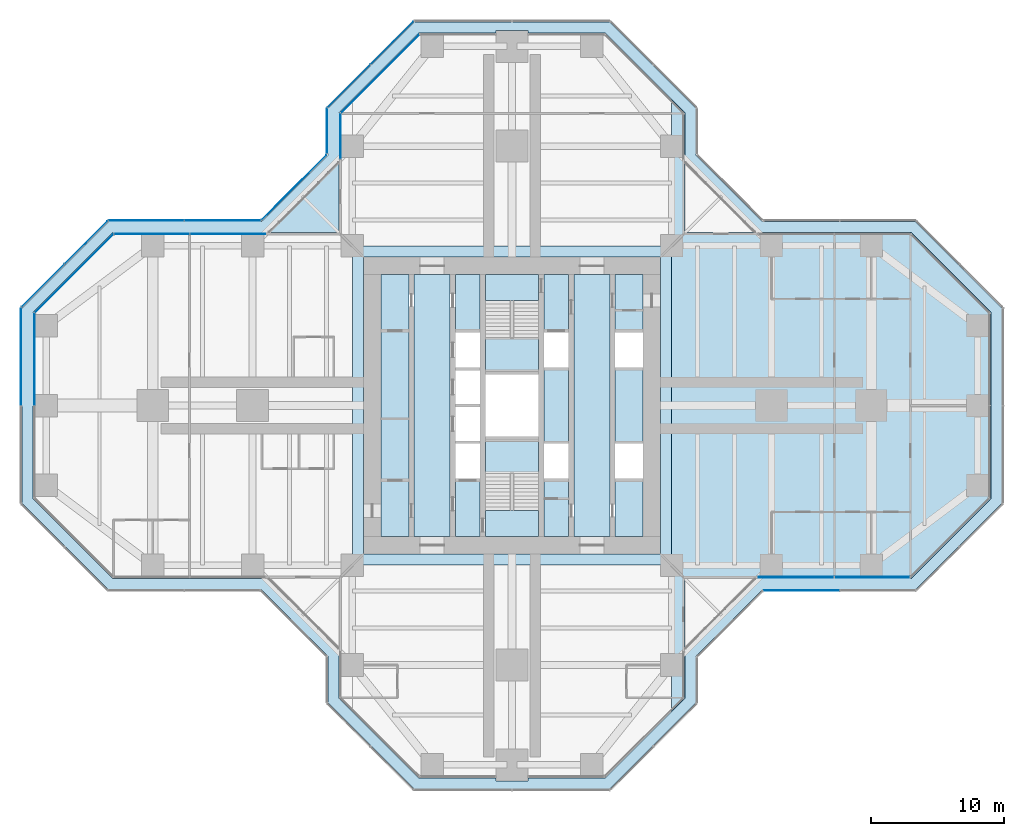
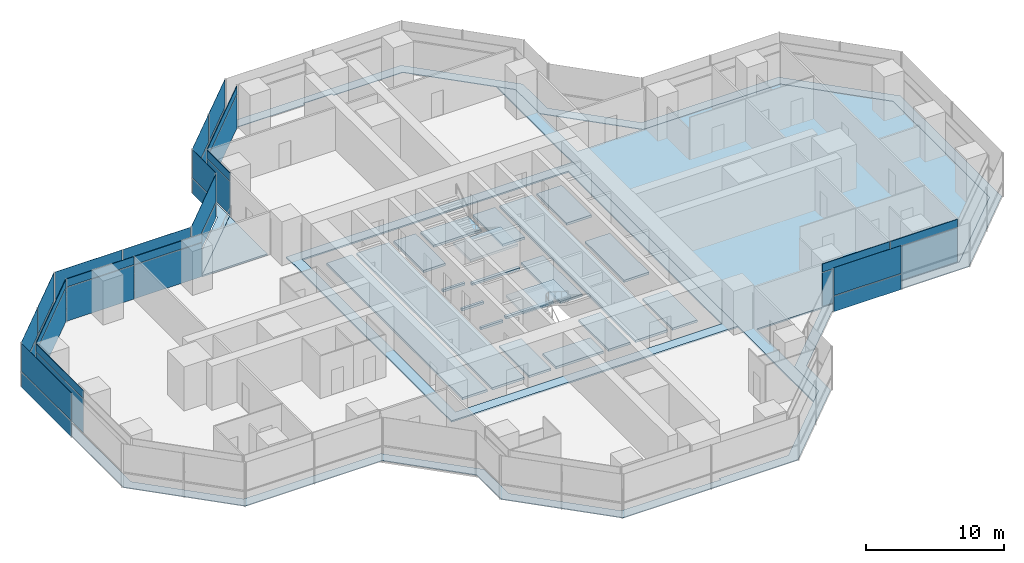
# One storey, part 13 of 20: 37 plates, 8 slabs, 15 elements without a shape of their own.
"""IFC4 building model written with IfcOpenShell, lengths in metres."""

from ifc_helpers import new_model, si_unit, direction, frame, origin, origin_2d, place, context, subcontext, project, spatial, polyline, rectangle, outline, extrude, material, layer, layer_set, type_object, element, aggregate, save


model = new_model("IFC4")

# Units and contexts
model_context = context("Model", 3, precision=1e-05, world=origin(), true_north=direction((0.0, 1.0)))
body_context = subcontext(model_context, "Body", "Model", "MODEL_VIEW")
ifc_project = project(units=[si_unit("LENGTHUNIT", "METRE"), si_unit("AREAUNIT", "SQUARE_METRE"), si_unit("VOLUMEUNIT", "CUBIC_METRE"), si_unit("PLANEANGLEUNIT", "RADIAN"), si_unit("MASSUNIT", "GRAM", prefix="KILO")], contexts=[model_context])

# Site, building, storey
site_placement = place(None, origin())
site = spatial("IfcSite", under=ifc_project, at=site_placement, CompositionType="ELEMENT")
building_placement = place(site_placement, origin())
building = spatial("IfcBuilding", under=site, at=building_placement, Name="Mizan Broadcast Tower", CompositionType="ELEMENT")
storey_placement = place(building_placement, frame((0.0, 0.0, 143.699951171875)))
storey = spatial("IfcBuildingStorey", under=building, at=storey_placement, Name="L32", CompositionType="ELEMENT", Elevation=143.699951171875)

# Plate
ifc_material_1 = material(Name="Aluminium grating", Category="aluminium")
ifc_layer_1 = layer(ifc_material_1, 0.050048828125)
ifc_layer_set_1 = layer_set([ifc_layer_1], Name="Aluminium grating")
plate_type_1 = type_object("IfcPlateType", Name="CAVITY GRATING", PredefinedType="USERDEFINED", material=ifc_layer_set_1)
plate_1_placement = place(storey_placement, frame((0.0, 0.0, -0.050048828125)))
element("IfcPlate", 1, at=plate_1_placement, inside=storey, type_object=plate_type_1, Name="Cavity grating L32", ObjectType="GRATING", PredefinedType="USERDEFINED", context=body_context, shape_type="SweptSolid", body=[
    extrude(outline(polyline([(13.820068359375, -18.839599609375), (18.839599609375, -13.820068359375), (30.339599609375, -13.820068359375), (36.820068359375, -7.339599609375), (36.820068359375, 7.339599609375), (30.339599609375, 13.820068359375), (18.839599609375, 13.820068359375), (13.820068359375, 18.839599609375), (13.820068359375, 22.339599609375), (7.339599609375, 28.820068359375), (-7.339599609375, 28.820068359375), (-13.820068359375, 22.339599609375), (-13.820068359375, 18.839599609375), (-18.839599609375, 13.820068359375), (-30.339599609375, 13.820068359375), (-36.820068359375, 7.339599609375), (-36.820068359375, -7.339599609375), (-30.339599609375, -13.820068359375), (-18.839599609375, -13.820068359375), (-13.820068359375, -18.839599609375), (-13.820068359375, -22.339599609375), (-7.339599609375, -28.820068359375), (7.339599609375, -28.820068359375), (13.820068359375, -22.339599609375), (13.820068359375, -18.839599609375)]), holes=[polyline([(36.0, 7.0), (36.0, -7.0), (30.0, -13.0), (18.5, -13.0), (13.0, -18.5), (13.0, -22.0), (7.0, -28.0), (1.199951171875, -28.0), (1.199951171875, -28.199951171875), (-1.199951171875, -28.199951171875), (-1.199951171875, -28.0), (-7.0, -28.0), (-13.0, -22.0), (-13.0, -18.5), (-18.5, -13.0), (-30.0, -13.0), (-36.0, -7.0), (-36.0, 7.0), (-30.0, 13.0), (-18.5, 13.0), (-13.0, 18.5), (-13.0, 22.0), (-7.0, 28.0), (-1.199951171875, 28.0), (-1.199951171875, 28.199951171875), (1.199951171875, 28.199951171875), (1.199951171875, 28.0), (7.0, 28.0), (13.0, 22.0), (13.0, 18.5), (18.5, 13.0), (30.0, 13.0), (36.0, 7.0)])]), origin(), (0.0, 0.0, 1.0), 0.050048828125),
])

# Slabs
ifc_material_2 = material(Name="Concrete C32/40", Category="concrete")
ifc_layer_2 = layer(ifc_material_2, 0.1298828125)
ifc_layer_set_2 = layer_set([ifc_layer_2], Name="Concrete C32/40")
slab_type_1 = type_object("IfcSlabType", Name="COMPOSITE DECK SLAB 130", PredefinedType="FLOOR", material=ifc_layer_set_2)
slab_1_placement = place(storey_placement, frame((0.0, 0.0, -0.1298828125)))
element("IfcSlab", 2, at=slab_1_placement, inside=storey, type_object=slab_type_1, Name="Floor slab L32 centre", PredefinedType="FLOOR", context=body_context, shape_type="SweptSolid", body=[
    extrude(outline(polyline([(-12.0, -12.0), (12.0, -12.0), (12.0, 12.0), (-12.0, 12.0), (-12.0, -12.0)]), holes=[polyline([(-11.14990234375, 11.14990234375), (11.14990234375, 11.14990234375), (11.14990234375, -11.14990234375), (-11.14990234375, -11.14990234375), (-11.14990234375, 11.14990234375)])]), origin(), (0.0, 0.0, 1.0), 0.1298828125),
])
slab_2_placement = place(storey_placement, frame((0.0, 0.0, -0.1298828125)))
element("IfcSlab", 3, at=slab_2_placement, inside=storey, type_object=slab_type_1, Name="Floor slab L32 east arm", PredefinedType="FLOOR", context=body_context, shape_type="SweptSolid", body=[
    extrude(outline(polyline([(12.0, -23.0), (13.0, -22.0), (13.0, -13.0), (30.0, -13.0), (36.0, -7.0), (36.0, 7.0), (30.0, 13.0), (13.0, 13.0), (13.0, 22.0), (12.0, 23.0), (12.0, -23.0)])), origin(), (0.0, 0.0, 1.0), 0.1298828125),
])
ifc_material_3 = material(Name="Concrete C40/50", Category="concrete")
ifc_layer_3 = layer(ifc_material_3, 0.199951171875)
ifc_layer_set_3 = layer_set([ifc_layer_3], Name="Concrete C40/50")
slab_type_2 = type_object("IfcSlabType", Name="CORE FLOOR 200", PredefinedType="FLOOR", material=ifc_layer_set_3)
slab_3_placement = place(storey_placement, frame((0.0, 0.0, -0.199951171875)))
element("IfcSlab", 4, at=slab_3_placement, inside=storey, type_object=slab_type_2, Name="Core floor L32", PredefinedType="FLOOR", context=body_context, shape_type="SweptSolid", body=[
    extrude(outline(polyline([(-9.85009765625, -9.85009765625), (-7.75, -9.85009765625), (-7.75, 9.85009765625), (-9.85009765625, 9.85009765625), (-9.85009765625, -9.85009765625)])), origin(), (0.0, 0.0, 1.0), 0.199951171875),
    extrude(outline(polyline([(-4.64990234375, 9.85009765625), (-7.35009765625, 9.85009765625), (-7.35009765625, -9.85009765625), (-4.64990234375, -9.85009765625), (-4.64990234375, 9.85009765625)])), origin(), (0.0, 0.0, 1.0), 0.199951171875),
    extrude(outline(polyline([(-4.25, -5.5), (-4.25, -9.85009765625), (-2.39990234375, -9.85009765625), (-2.39990234375, -5.5), (-4.25, -5.5)])), origin(), (0.0, 0.0, 1.0), 0.199951171875),
    extrude(outline(polyline([(-4.25, -2.85009765625), (-2.39990234375, -2.85009765625), (-2.39990234375, -2.64990234375), (-4.25, -2.64990234375), (-4.25, -2.85009765625)])), origin(), (0.0, 0.0, 1.0), 0.199951171875),
    extrude(outline(polyline([(-4.25, -0.10009765625), (-2.39990234375, -0.10009765625), (-2.39990234375, 0.10009765625), (-4.25, 0.10009765625), (-4.25, -0.10009765625)])), origin(), (0.0, 0.0, 1.0), 0.199951171875),
    extrude(outline(polyline([(-4.25, 2.64990234375), (-2.39990234375, 2.64990234375), (-2.39990234375, 2.85009765625), (-4.25, 2.85009765625), (-4.25, 2.64990234375)])), origin(), (0.0, 0.0, 1.0), 0.199951171875),
    extrude(outline(polyline([(-4.25, 5.5), (-2.39990234375, 5.5), (-2.39990234375, 9.85009765625), (-4.25, 9.85009765625), (-4.25, 5.5)])), origin(), (0.0, 0.0, 1.0), 0.199951171875),
    extrude(outline(polyline([(2.0, -2.324951171875), (-2.0, -2.324951171875), (-2.0, -2.574951171875), (2.0, -2.574951171875), (2.0, -2.324951171875)])), origin(), (0.0, 0.0, 1.0), 0.199951171875),
    extrude(outline(polyline([(2.0, 2.574951171875), (-2.0, 2.574951171875), (-2.0, 2.324951171875), (2.0, 2.324951171875), (2.0, 2.574951171875)])), origin(), (0.0, 0.0, 1.0), 0.199951171875),
    extrude(outline(polyline([(4.25, -9.85009765625), (4.25, -5.5), (2.39990234375, -5.5), (2.39990234375, -9.85009765625), (4.25, -9.85009765625)])), origin(), (0.0, 0.0, 1.0), 0.199951171875),
    extrude(outline(polyline([(4.25, -2.85009765625), (4.25, 2.85009765625), (2.39990234375, 2.85009765625), (2.39990234375, -2.85009765625), (4.25, -2.85009765625)])), origin(), (0.0, 0.0, 1.0), 0.199951171875),
    extrude(outline(polyline([(4.25, 5.5), (4.25, 9.85009765625), (2.39990234375, 9.85009765625), (2.39990234375, 5.5), (4.25, 5.5)])), origin(), (0.0, 0.0, 1.0), 0.199951171875),
    extrude(outline(polyline([(4.64990234375, 9.85009765625), (4.64990234375, -9.85009765625), (7.35009765625, -9.85009765625), (7.35009765625, 9.85009765625), (4.64990234375, 9.85009765625)])), origin(), (0.0, 0.0, 1.0), 0.199951171875),
    extrude(outline(polyline([(9.85009765625, -9.85009765625), (9.85009765625, -5.5), (7.75, -5.5), (7.75, -9.85009765625), (9.85009765625, -9.85009765625)])), origin(), (0.0, 0.0, 1.0), 0.199951171875),
    extrude(outline(polyline([(7.75, -2.85009765625), (9.85009765625, -2.85009765625), (9.85009765625, 2.85009765625), (7.75, 2.85009765625), (7.75, -2.85009765625)])), origin(), (0.0, 0.0, 1.0), 0.199951171875),
    extrude(outline(polyline([(9.85009765625, 5.5), (9.85009765625, 9.85009765625), (7.75, 9.85009765625), (7.75, 5.5), (9.85009765625, 5.5)])), origin(), (0.0, 0.0, 1.0), 0.199951171875),
])

# Curtain wall, plates
ifc_material_4 = material(Name="Aluminium framed glazing", Category="aluminium")
curtain_wall_type_1 = type_object("IfcCurtainWallType", Name="INNER SKIN MID ZONE", PredefinedType="USERDEFINED", material=ifc_material_4)
curtain_wall_1_placement = place(storey_placement, origin())
curtain_wall_1 = element("IfcCurtainWall", 5, at=curtain_wall_1_placement, inside=storey, type_object=curtain_wall_type_1, Name="Inner skin mid zone L32 E side", ObjectType="INNER SKIN MID ZONE", PredefinedType="USERDEFINED")
ifc_material_5 = material(Name="Double glazing, clear low-e", Category="glass")
ifc_layer_4 = layer(ifc_material_5, 0.028076171875)
ifc_layer_set_4 = layer_set([ifc_layer_4], Name="Double glazing, clear low-e")
plate_type_2 = type_object("IfcPlateType", Name="INNER SKIN GLAZING UNIT", PredefinedType="CURTAIN_PANEL", material=ifc_layer_set_4)
plate_2_placement = place(storey_placement, frame((21.379638671875, -12.89990234375, 0.0), z_axis=(0.0, 0.0, 1.0), x_axis=(1.0, 0.0, 0.0)))
plate_2 = element("IfcPlate", 6, at=plate_2_placement, type_object=plate_type_2, Name="Inner skin mid zone L32 E side panel 1.1", PredefinedType="CURTAIN_PANEL", context=body_context, shape_type="SweptSolid", body=[
    extrude(rectangle(XDim=5.639404296875, YDim=0.028076171875, at=origin_2d()), origin(), (0.0, 0.0, 1.0), 3.0),
])
plate_3_placement = place(storey_placement, frame((27.078857421875, -12.89990234375, 0.0), z_axis=(0.0, 0.0, 1.0), x_axis=(1.0, 0.0, 0.0)))
plate_3 = element("IfcPlate", 7, at=plate_3_placement, type_object=plate_type_2, Name="Inner skin mid zone L32 E side panel 2.1", PredefinedType="CURTAIN_PANEL", context=body_context, shape_type="SweptSolid", body=[
    extrude(rectangle(XDim=5.639404296875, YDim=0.028076171875, at=origin_2d()), origin(), (0.0, 0.0, 1.0), 3.0),
])

# Curtain wall, plate
curtain_wall_2_placement = place(storey_placement, origin())
curtain_wall_2 = element("IfcCurtainWall", 8, at=curtain_wall_2_placement, inside=storey, type_object=curtain_wall_type_1, Name="Inner skin mid zone L32 N chamfer", ObjectType="INNER SKIN MID ZONE", PredefinedType="USERDEFINED")
plate_4_placement = place(storey_placement, frame((-9.92919921875, 24.92919921875, 0.0), z_axis=(0.0, 0.0, 1.0), x_axis=(-0.707106781187, -0.707106781187, 0.0)))
plate_4 = element("IfcPlate", 9, at=plate_4_placement, type_object=plate_type_2, Name="Inner skin mid zone L32 N chamfer panel 1.1", PredefinedType="CURTAIN_PANEL", context=body_context, shape_type="SweptSolid", body=[
    extrude(rectangle(XDim=8.282470703125, YDim=0.028076171875, at=origin_2d()), origin(), (0.0, 0.0, 1.0), 3.0),
])

curtain_wall_3_placement = place(storey_placement, origin())
curtain_wall_3 = element("IfcCurtainWall", 10, at=curtain_wall_3_placement, inside=storey, type_object=curtain_wall_type_1, Name="Inner skin mid zone L32 N side", ObjectType="INNER SKIN MID ZONE", PredefinedType="USERDEFINED")
plate_5_placement = place(storey_placement, frame((-12.89990234375, 20.229248046875, 0.0), z_axis=(0.0, 0.0, 1.0), x_axis=(0.0, -1.0, 0.0)))
plate_5 = element("IfcPlate", 11, at=plate_5_placement, type_object=plate_type_2, Name="Inner skin mid zone L32 N side panel 1.1", PredefinedType="CURTAIN_PANEL", context=body_context, shape_type="SweptSolid", body=[
    extrude(rectangle(XDim=3.338623046875, YDim=0.028076171875, at=origin_2d()), origin(), (0.0, 0.0, 1.0), 3.0),
])

# Curtain wall, plates
curtain_wall_4_placement = place(storey_placement, origin())
curtain_wall_4 = element("IfcCurtainWall", 12, at=curtain_wall_4_placement, inside=storey, type_object=curtain_wall_type_1, Name="Inner skin mid zone L32 W side", ObjectType="INNER SKIN MID ZONE", PredefinedType="USERDEFINED")
plate_6_placement = place(storey_placement, frame((-21.379638671875, 12.89990234375, 0.0), z_axis=(0.0, 0.0, 1.0), x_axis=(-1.0, 0.0, 0.0)))
plate_6 = element("IfcPlate", 13, at=plate_6_placement, type_object=plate_type_2, Name="Inner skin mid zone L32 W side panel 1.1", PredefinedType="CURTAIN_PANEL", context=body_context, shape_type="SweptSolid", body=[
    extrude(rectangle(XDim=5.639404296875, YDim=0.028076171875, at=origin_2d()), origin(), (0.0, 0.0, 1.0), 3.0),
])
plate_7_placement = place(storey_placement, frame((-27.078857421875, 12.89990234375, 0.0), z_axis=(0.0, 0.0, 1.0), x_axis=(-1.0, 0.0, 0.0)))
plate_7 = element("IfcPlate", 14, at=plate_7_placement, type_object=plate_type_2, Name="Inner skin mid zone L32 W side panel 2.1", PredefinedType="CURTAIN_PANEL", context=body_context, shape_type="SweptSolid", body=[
    extrude(rectangle(XDim=5.639404296875, YDim=0.028076171875, at=origin_2d()), origin(), (0.0, 0.0, 1.0), 3.0),
])

# Curtain wall, plate
curtain_wall_5_placement = place(storey_placement, origin())
curtain_wall_5 = element("IfcCurtainWall", 15, at=curtain_wall_5_placement, inside=storey, type_object=curtain_wall_type_1, Name="Inner skin mid zone L32 W chamfer", ObjectType="INNER SKIN MID ZONE", PredefinedType="USERDEFINED")
plate_8_placement = place(storey_placement, frame((-32.92919921875, 9.92919921875, 0.0), z_axis=(0.0, 0.0, 1.0), x_axis=(-0.707106781187, -0.707106781187, 0.0)))
plate_8 = element("IfcPlate", 16, at=plate_8_placement, type_object=plate_type_2, Name="Inner skin mid zone L32 W chamfer panel 1.1", PredefinedType="CURTAIN_PANEL", context=body_context, shape_type="SweptSolid", body=[
    extrude(rectangle(XDim=8.282470703125, YDim=0.028076171875, at=origin_2d()), origin(), (0.0, 0.0, 1.0), 3.0),
])

curtain_wall_6_placement = place(storey_placement, origin())
curtain_wall_6 = element("IfcCurtainWall", 17, at=curtain_wall_6_placement, inside=storey, type_object=curtain_wall_type_1, Name="Inner skin mid zone L32 W end", ObjectType="INNER SKIN MID ZONE", PredefinedType="USERDEFINED")
plate_9_placement = place(storey_placement, frame((-35.89990234375, 3.46435546875, 0.0), z_axis=(0.0, 0.0, 1.0), x_axis=(0.0, -1.0, 0.0)))
plate_9 = element("IfcPlate", 18, at=plate_9_placement, type_object=plate_type_2, Name="Inner skin mid zone L32 W end panel 1.1", PredefinedType="CURTAIN_PANEL", context=body_context, shape_type="SweptSolid", body=[
    extrude(rectangle(XDim=6.86865234375, YDim=0.028076171875, at=origin_2d()), origin(), (0.0, 0.0, 1.0), 3.0),
])

# Plate
ifc_material_6 = material(Name="Insulated aluminium spandrel panel, pale anodised", Category="aluminium")
ifc_layer_5 = layer(ifc_material_6, 0.050048828125)
ifc_layer_set_5 = layer_set([ifc_layer_5], Name="Insulated aluminium spandrel panel, pale anodised")
plate_type_3 = type_object("IfcPlateType", Name="INNER SKIN SPANDREL PANEL", PredefinedType="CURTAIN_PANEL", material=ifc_layer_set_5)
plate_10_placement = place(storey_placement, frame((21.379638671875, -12.89990234375, 3.06005859375), z_axis=(0.0, 0.0, 1.0), x_axis=(1.0, 0.0, 0.0)))
plate_10 = element("IfcPlate", 19, at=plate_10_placement, type_object=plate_type_3, Name="Inner skin mid zone L32 E side panel 1.2", PredefinedType="CURTAIN_PANEL", context=body_context, shape_type="SweptSolid", body=[
    extrude(rectangle(XDim=5.639404296875, YDim=0.050048828125, at=origin_2d()), origin(), (0.0, 0.0, 1.0), 0.7099609375),
])

plate_11_placement = place(storey_placement, frame((27.078857421875, -12.89990234375, 3.06005859375), z_axis=(0.0, 0.0, 1.0), x_axis=(1.0, 0.0, 0.0)))
plate_11 = element("IfcPlate", 20, at=plate_11_placement, type_object=plate_type_3, Name="Inner skin mid zone L32 E side panel 2.2", PredefinedType="CURTAIN_PANEL", context=body_context, shape_type="SweptSolid", body=[
    extrude(rectangle(XDim=5.639404296875, YDim=0.050048828125, at=origin_2d()), origin(), (0.0, 0.0, 1.0), 0.7099609375),
])

aggregate(curtain_wall_1, [plate_2, plate_10, plate_3, plate_11])

plate_12_placement = place(storey_placement, frame((-9.92919921875, 24.92919921875, 3.06005859375), z_axis=(0.0, 0.0, 1.0), x_axis=(-0.707106781187, -0.707106781187, 0.0)))
plate_12 = element("IfcPlate", 21, at=plate_12_placement, type_object=plate_type_3, Name="Inner skin mid zone L32 N chamfer panel 1.2", PredefinedType="CURTAIN_PANEL", context=body_context, shape_type="SweptSolid", body=[
    extrude(rectangle(XDim=8.282470703125, YDim=0.050048828125, at=origin_2d()), origin(), (0.0, 0.0, 1.0), 0.7099609375),
])

aggregate(curtain_wall_2, [plate_4, plate_12])

plate_13_placement = place(storey_placement, frame((-12.89990234375, 20.229248046875, 3.06005859375), z_axis=(0.0, 0.0, 1.0), x_axis=(0.0, -1.0, 0.0)))
plate_13 = element("IfcPlate", 22, at=plate_13_placement, type_object=plate_type_3, Name="Inner skin mid zone L32 N side panel 1.2", PredefinedType="CURTAIN_PANEL", context=body_context, shape_type="SweptSolid", body=[
    extrude(rectangle(XDim=3.338623046875, YDim=0.050048828125, at=origin_2d()), origin(), (0.0, 0.0, 1.0), 0.7099609375),
])

aggregate(curtain_wall_3, [plate_5, plate_13])

plate_14_placement = place(storey_placement, frame((-21.379638671875, 12.89990234375, 3.06005859375), z_axis=(0.0, 0.0, 1.0), x_axis=(-1.0, 0.0, 0.0)))
plate_14 = element("IfcPlate", 23, at=plate_14_placement, type_object=plate_type_3, Name="Inner skin mid zone L32 W side panel 1.2", PredefinedType="CURTAIN_PANEL", context=body_context, shape_type="SweptSolid", body=[
    extrude(rectangle(XDim=5.639404296875, YDim=0.050048828125, at=origin_2d()), origin(), (0.0, 0.0, 1.0), 0.7099609375),
])

plate_15_placement = place(storey_placement, frame((-27.078857421875, 12.89990234375, 3.06005859375), z_axis=(0.0, 0.0, 1.0), x_axis=(-1.0, 0.0, 0.0)))
plate_15 = element("IfcPlate", 24, at=plate_15_placement, type_object=plate_type_3, Name="Inner skin mid zone L32 W side panel 2.2", PredefinedType="CURTAIN_PANEL", context=body_context, shape_type="SweptSolid", body=[
    extrude(rectangle(XDim=5.639404296875, YDim=0.050048828125, at=origin_2d()), origin(), (0.0, 0.0, 1.0), 0.7099609375),
])

aggregate(curtain_wall_4, [plate_6, plate_14, plate_7, plate_15])

plate_16_placement = place(storey_placement, frame((-32.92919921875, 9.92919921875, 3.06005859375), z_axis=(0.0, 0.0, 1.0), x_axis=(-0.707106781187, -0.707106781187, 0.0)))
plate_16 = element("IfcPlate", 25, at=plate_16_placement, type_object=plate_type_3, Name="Inner skin mid zone L32 W chamfer panel 1.2", PredefinedType="CURTAIN_PANEL", context=body_context, shape_type="SweptSolid", body=[
    extrude(rectangle(XDim=8.282470703125, YDim=0.050048828125, at=origin_2d()), origin(), (0.0, 0.0, 1.0), 0.7099609375),
])

aggregate(curtain_wall_5, [plate_8, plate_16])

plate_17_placement = place(storey_placement, frame((-35.89990234375, 3.46435546875, 3.06005859375), z_axis=(0.0, 0.0, 1.0), x_axis=(0.0, -1.0, 0.0)))
plate_17 = element("IfcPlate", 26, at=plate_17_placement, type_object=plate_type_3, Name="Inner skin mid zone L32 W end panel 1.2", PredefinedType="CURTAIN_PANEL", context=body_context, shape_type="SweptSolid", body=[
    extrude(rectangle(XDim=6.86865234375, YDim=0.050048828125, at=origin_2d()), origin(), (0.0, 0.0, 1.0), 0.7099609375),
])

aggregate(curtain_wall_6, [plate_9, plate_17])

# Curtain wall, plates
ifc_material_7 = material(Name="Aluminium framed glazing", Category="aluminium")
curtain_wall_type_2 = type_object("IfcCurtainWallType", Name="OUTER SKIN", PredefinedType="USERDEFINED", material=ifc_material_7)
curtain_wall_7_placement = place(storey_placement, origin())
curtain_wall_7 = element("IfcCurtainWall", 27, at=curtain_wall_7_placement, inside=storey, type_object=curtain_wall_type_2, Name="Outer skin L32 N chamfer", ObjectType="OUTER SKIN", PredefinedType="USERDEFINED")
ifc_material_8 = material(Name="Laminated clear glass", Category="glass")
ifc_layer_6 = layer(ifc_material_8, 0.02001953125)
ifc_layer_set_6 = layer_set([ifc_layer_6], Name="Laminated clear glass")
plate_type_4 = type_object("IfcPlateType", Name="OUTER SKIN CLEAR GLASS", PredefinedType="CURTAIN_PANEL", material=ifc_layer_set_6)
plate_18_placement = place(storey_placement, frame((-9.018798828125, 27.254150390625, 0.0), z_axis=(0.0, 0.0, 1.0), x_axis=(-0.707106781187, -0.707106781187, 0.0)))
plate_18 = element("IfcPlate", 28, at=plate_18_placement, type_object=plate_type_4, Name="Outer skin L32 N chamfer panel 1.1", PredefinedType="CURTAIN_PANEL", context=body_context, shape_type="SweptSolid", body=[
    extrude(rectangle(XDim=4.495361328125, YDim=0.02001953125, at=origin_2d()), origin(), (0.0, 0.0, 1.0), 1.3701171875),
])
plate_19_placement = place(storey_placement, frame((-9.018798828125, 27.254150390625, 1.43017578125), z_axis=(0.0, 0.0, 1.0), x_axis=(-0.707106781187, -0.707106781187, 0.0)))
plate_19 = element("IfcPlate", 29, at=plate_19_placement, type_object=plate_type_4, Name="Outer skin L32 N chamfer panel 1.2", PredefinedType="CURTAIN_PANEL", context=body_context, shape_type="SweptSolid", body=[
    extrude(rectangle(XDim=4.495361328125, YDim=0.02001953125, at=origin_2d()), origin(), (0.0, 0.0, 1.0), 2.469970703125),
])

curtain_wall_8_placement = place(storey_placement, origin())
curtain_wall_8 = element("IfcCurtainWall", 30, at=curtain_wall_8_placement, inside=storey, type_object=curtain_wall_type_2, Name="Outer skin L32 N side", ObjectType="OUTER SKIN", PredefinedType="USERDEFINED")
plate_20_placement = place(storey_placement, frame((-13.89990234375, 20.622802734375, 0.0), z_axis=(0.0, 0.0, 1.0), x_axis=(0.0, -1.0, 0.0)))
plate_20 = element("IfcPlate", 31, at=plate_20_placement, type_object=plate_type_4, Name="Outer skin L32 N side panel 1.1", PredefinedType="CURTAIN_PANEL", context=body_context, shape_type="SweptSolid", body=[
    extrude(rectangle(XDim=3.340087890625, YDim=0.02001953125, at=origin_2d()), origin(), (0.0, 0.0, 1.0), 1.3701171875),
])
plate_21_placement = place(storey_placement, frame((-13.89990234375, 20.622802734375, 1.43017578125), z_axis=(0.0, 0.0, 1.0), x_axis=(0.0, -1.0, 0.0)))
plate_21 = element("IfcPlate", 32, at=plate_21_placement, type_object=plate_type_4, Name="Outer skin L32 N side panel 1.2", PredefinedType="CURTAIN_PANEL", context=body_context, shape_type="SweptSolid", body=[
    extrude(rectangle(XDim=3.340087890625, YDim=0.02001953125, at=origin_2d()), origin(), (0.0, 0.0, 1.0), 2.469970703125),
])
aggregate(curtain_wall_8, [plate_20, plate_21])

curtain_wall_9_placement = place(storey_placement, origin())
curtain_wall_9 = element("IfcCurtainWall", 33, at=curtain_wall_9_placement, inside=storey, type_object=curtain_wall_type_2, Name="Outer skin L32 W chamfer", ObjectType="OUTER SKIN", PredefinedType="USERDEFINED")
plate_22_placement = place(storey_placement, frame((-16.386474609375, 16.386474609375, 0.0), z_axis=(0.0, 0.0, 1.0), x_axis=(-0.707106781187, -0.707106781187, 0.0)))
plate_22 = element("IfcPlate", 34, at=plate_22_placement, type_object=plate_type_4, Name="Outer skin L32 W chamfer panel 1.1", PredefinedType="CURTAIN_PANEL", context=body_context, shape_type="SweptSolid", body=[
    extrude(rectangle(XDim=6.87255859375, YDim=0.02001953125, at=origin_2d()), origin(), (0.0, 0.0, 1.0), 1.3701171875),
])
plate_23_placement = place(storey_placement, frame((-16.386474609375, 16.386474609375, 1.43017578125), z_axis=(0.0, 0.0, 1.0), x_axis=(-0.707106781187, -0.707106781187, 0.0)))
plate_23 = element("IfcPlate", 35, at=plate_23_placement, type_object=plate_type_4, Name="Outer skin L32 W chamfer panel 1.2", PredefinedType="CURTAIN_PANEL", context=body_context, shape_type="SweptSolid", body=[
    extrude(rectangle(XDim=6.87255859375, YDim=0.02001953125, at=origin_2d()), origin(), (0.0, 0.0, 1.0), 2.469970703125),
])
aggregate(curtain_wall_9, [plate_22, plate_23])

curtain_wall_10_placement = place(storey_placement, origin())
curtain_wall_10 = element("IfcCurtainWall", 36, at=curtain_wall_10_placement, inside=storey, type_object=curtain_wall_type_2, Name="Outer skin L32 W side", ObjectType="OUTER SKIN", PredefinedType="USERDEFINED")
plate_24_placement = place(storey_placement, frame((-21.767822265625, 13.89990234375, 0.0), z_axis=(0.0, 0.0, 1.0), x_axis=(-1.0, 0.0, 0.0)))
plate_24 = element("IfcPlate", 37, at=plate_24_placement, type_object=plate_type_4, Name="Outer skin L32 W side panel 1.1", PredefinedType="CURTAIN_PANEL", context=body_context, shape_type="SweptSolid", body=[
    extrude(rectangle(XDim=5.6298828125, YDim=0.02001953125, at=origin_2d()), origin(), (0.0, 0.0, 1.0), 1.3701171875),
])
plate_25_placement = place(storey_placement, frame((-21.767822265625, 13.89990234375, 1.43017578125), z_axis=(0.0, 0.0, 1.0), x_axis=(-1.0, 0.0, 0.0)))
plate_25 = element("IfcPlate", 38, at=plate_25_placement, type_object=plate_type_4, Name="Outer skin L32 W side panel 1.2", PredefinedType="CURTAIN_PANEL", context=body_context, shape_type="SweptSolid", body=[
    extrude(rectangle(XDim=5.6298828125, YDim=0.02001953125, at=origin_2d()), origin(), (0.0, 0.0, 1.0), 2.469970703125),
])
plate_26_placement = place(storey_placement, frame((-27.477783203125, 13.89990234375, 0.0), z_axis=(0.0, 0.0, 1.0), x_axis=(-1.0, 0.0, 0.0)))
plate_26 = element("IfcPlate", 39, at=plate_26_placement, type_object=plate_type_4, Name="Outer skin L32 W side panel 2.1", PredefinedType="CURTAIN_PANEL", context=body_context, shape_type="SweptSolid", body=[
    extrude(rectangle(XDim=5.6298828125, YDim=0.02001953125, at=origin_2d()), origin(), (0.0, 0.0, 1.0), 1.3701171875),
])
plate_27_placement = place(storey_placement, frame((-27.477783203125, 13.89990234375, 1.43017578125), z_axis=(0.0, 0.0, 1.0), x_axis=(-1.0, 0.0, 0.0)))
plate_27 = element("IfcPlate", 40, at=plate_27_placement, type_object=plate_type_4, Name="Outer skin L32 W side panel 2.2", PredefinedType="CURTAIN_PANEL", context=body_context, shape_type="SweptSolid", body=[
    extrude(rectangle(XDim=5.6298828125, YDim=0.02001953125, at=origin_2d()), origin(), (0.0, 0.0, 1.0), 2.469970703125),
])
aggregate(curtain_wall_10, [plate_24, plate_25, plate_26, plate_27])

curtain_wall_11_placement = place(storey_placement, origin())
curtain_wall_11 = element("IfcCurtainWall", 41, at=curtain_wall_11_placement, inside=storey, type_object=curtain_wall_type_2, Name="Outer skin L32 W chamfer", ObjectType="OUTER SKIN", PredefinedType="USERDEFINED")
plate_28_placement = place(storey_placement, frame((-32.018798828125, 12.254150390625, 0.0), z_axis=(0.0, 0.0, 1.0), x_axis=(-0.707106781187, -0.707106781187, 0.0)))
plate_28 = element("IfcPlate", 42, at=plate_28_placement, type_object=plate_type_4, Name="Outer skin L32 W chamfer panel 1.1", PredefinedType="CURTAIN_PANEL", context=body_context, shape_type="SweptSolid", body=[
    extrude(rectangle(XDim=4.495361328125, YDim=0.02001953125, at=origin_2d()), origin(), (0.0, 0.0, 1.0), 1.3701171875),
])
plate_29_placement = place(storey_placement, frame((-32.018798828125, 12.254150390625, 1.43017578125), z_axis=(0.0, 0.0, 1.0), x_axis=(-0.707106781187, -0.707106781187, 0.0)))
plate_29 = element("IfcPlate", 43, at=plate_29_placement, type_object=plate_type_4, Name="Outer skin L32 W chamfer panel 1.2", PredefinedType="CURTAIN_PANEL", context=body_context, shape_type="SweptSolid", body=[
    extrude(rectangle(XDim=4.495361328125, YDim=0.02001953125, at=origin_2d()), origin(), (0.0, 0.0, 1.0), 2.469970703125),
])

curtain_wall_12_placement = place(storey_placement, origin())
curtain_wall_12 = element("IfcCurtainWall", 44, at=curtain_wall_12_placement, inside=storey, type_object=curtain_wall_type_2, Name="Outer skin L32 W end", ObjectType="OUTER SKIN", PredefinedType="USERDEFINED")
plate_30_placement = place(storey_placement, frame((-36.89990234375, 3.66650390625, 0.0), z_axis=(0.0, 0.0, 1.0), x_axis=(0.0, -1.0, 0.0)))
plate_30 = element("IfcPlate", 45, at=plate_30_placement, type_object=plate_type_4, Name="Outer skin L32 W end panel 1.1", PredefinedType="CURTAIN_PANEL", context=body_context, shape_type="SweptSolid", body=[
    extrude(rectangle(XDim=7.252685546875, YDim=0.02001953125, at=origin_2d()), origin(), (0.0, 0.0, 1.0), 1.3701171875),
])
plate_31_placement = place(storey_placement, frame((-36.89990234375, 3.66650390625, 1.43017578125), z_axis=(0.0, 0.0, 1.0), x_axis=(0.0, -1.0, 0.0)))
plate_31 = element("IfcPlate", 46, at=plate_31_placement, type_object=plate_type_4, Name="Outer skin L32 W end panel 1.2", PredefinedType="CURTAIN_PANEL", context=body_context, shape_type="SweptSolid", body=[
    extrude(rectangle(XDim=7.252685546875, YDim=0.02001953125, at=origin_2d()), origin(), (0.0, 0.0, 1.0), 2.469970703125),
])
aggregate(curtain_wall_12, [plate_30, plate_31])

curtain_wall_13_placement = place(storey_placement, origin())
curtain_wall_13 = element("IfcCurtainWall", 47, at=curtain_wall_13_placement, inside=storey, type_object=curtain_wall_type_2, Name="Outer skin L32 E side", ObjectType="OUTER SKIN", PredefinedType="USERDEFINED")
plate_32_placement = place(storey_placement, frame((21.767822265625, -13.89990234375, 0.0), z_axis=(0.0, 0.0, 1.0), x_axis=(1.0, 0.0, 0.0)))
plate_32 = element("IfcPlate", 48, at=plate_32_placement, type_object=plate_type_4, Name="Outer skin L32 E side panel 1.1", PredefinedType="CURTAIN_PANEL", context=body_context, shape_type="SweptSolid", body=[
    extrude(rectangle(XDim=5.6298828125, YDim=0.02001953125, at=origin_2d()), origin(), (0.0, 0.0, 1.0), 1.3701171875),
])
plate_33_placement = place(storey_placement, frame((21.767822265625, -13.89990234375, 1.43017578125), z_axis=(0.0, 0.0, 1.0), x_axis=(1.0, 0.0, 0.0)))
plate_33 = element("IfcPlate", 49, at=plate_33_placement, type_object=plate_type_4, Name="Outer skin L32 E side panel 1.2", PredefinedType="CURTAIN_PANEL", context=body_context, shape_type="SweptSolid", body=[
    extrude(rectangle(XDim=5.6298828125, YDim=0.02001953125, at=origin_2d()), origin(), (0.0, 0.0, 1.0), 2.469970703125),
])
aggregate(curtain_wall_13, [plate_32, plate_33])

# Plate
ifc_material_9 = material(Name="Perforated aluminium, pale anodised", Category="aluminium")
ifc_layer_7 = layer(ifc_material_9, 0.011962890625)
ifc_layer_set_7 = layer_set([ifc_layer_7], Name="Perforated aluminium, pale anodised")
plate_type_5 = type_object("IfcPlateType", Name="OUTER SKIN PERFORATED SCREEN", PredefinedType="USERDEFINED", material=ifc_layer_set_7)
plate_34_placement = place(storey_placement, frame((-12.254150390625, 24.018798828125, 0.0), z_axis=(0.0, 0.0, 1.0), x_axis=(-0.707106781187, -0.707106781187, 0.0)))
plate_34 = element("IfcPlate", 50, at=plate_34_placement, type_object=plate_type_5, Name="Outer skin L32 N chamfer panel 2.1", ObjectType="SCREEN", PredefinedType="USERDEFINED", context=body_context, shape_type="SweptSolid", body=[
    extrude(rectangle(XDim=4.495361328125, YDim=0.011962890625, at=origin_2d()), origin(), (0.0, 0.0, 1.0), 1.3701171875),
])

plate_35_placement = place(storey_placement, frame((-12.254150390625, 24.018798828125, 1.43017578125), z_axis=(0.0, 0.0, 1.0), x_axis=(-0.707106781187, -0.707106781187, 0.0)))
plate_35 = element("IfcPlate", 51, at=plate_35_placement, type_object=plate_type_5, Name="Outer skin L32 N chamfer panel 2.2", ObjectType="SCREEN", PredefinedType="USERDEFINED", context=body_context, shape_type="SweptSolid", body=[
    extrude(rectangle(XDim=4.495361328125, YDim=0.011962890625, at=origin_2d()), origin(), (0.0, 0.0, 1.0), 2.469970703125),
])

aggregate(curtain_wall_7, [plate_18, plate_19, plate_34, plate_35])

plate_36_placement = place(storey_placement, frame((-35.254150390625, 9.018798828125, 0.0), z_axis=(0.0, 0.0, 1.0), x_axis=(-0.707106781187, -0.707106781187, 0.0)))
plate_36 = element("IfcPlate", 52, at=plate_36_placement, type_object=plate_type_5, Name="Outer skin L32 W chamfer panel 2.1", ObjectType="SCREEN", PredefinedType="USERDEFINED", context=body_context, shape_type="SweptSolid", body=[
    extrude(rectangle(XDim=4.495361328125, YDim=0.011962890625, at=origin_2d()), origin(), (0.0, 0.0, 1.0), 1.3701171875),
])

plate_37_placement = place(storey_placement, frame((-35.254150390625, 9.018798828125, 1.43017578125), z_axis=(0.0, 0.0, 1.0), x_axis=(-0.707106781187, -0.707106781187, 0.0)))
plate_37 = element("IfcPlate", 53, at=plate_37_placement, type_object=plate_type_5, Name="Outer skin L32 W chamfer panel 2.2", ObjectType="SCREEN", PredefinedType="USERDEFINED", context=body_context, shape_type="SweptSolid", body=[
    extrude(rectangle(XDim=4.495361328125, YDim=0.011962890625, at=origin_2d()), origin(), (0.0, 0.0, 1.0), 2.469970703125),
])

aggregate(curtain_wall_11, [plate_28, plate_29, plate_36, plate_37])

# Stair, slabs
ifc_material_10 = material(Name="Concrete C40/50", Category="concrete")
stair_type = type_object("IfcStairType", Name="EXIT STAIR", PredefinedType="HALF_TURN_STAIR", material=ifc_material_10)
stair_1_placement = place(storey_placement, origin())
stair_1 = element("IfcStair", 54, at=stair_1_placement, inside=storey, type_object=stair_type, Name="Stair A L32", PredefinedType="HALF_TURN_STAIR")
ifc_material_11 = material(Name="Concrete C40/50", Category="concrete")
ifc_layer_8 = layer(ifc_material_11, 0.199951171875)
ifc_layer_set_8 = layer_set([ifc_layer_8], Name="Concrete C40/50")
slab_type_3 = type_object("IfcSlabType", Name="STAIR LANDING 200", PredefinedType="LANDING", material=ifc_layer_set_8)
slab_4_placement = place(storey_placement, frame((0.0, 0.0, -0.199951171875)))
slab_4 = element("IfcSlab", 55, at=slab_4_placement, type_object=slab_type_3, Name="A landing 1", PredefinedType="LANDING", context=body_context, shape_type="SweptSolid", body=[
    extrude(outline(polyline([(-2.0, -9.85009765625), (-2.0, -7.89990234375), (2.0, -7.89990234375), (2.0, -9.85009765625), (-2.0, -9.85009765625)])), origin(), (0.0, 0.0, 1.0), 0.199951171875),
])
slab_5_placement = place(storey_placement, frame((0.0, 0.0, 1.75)))
slab_5 = element("IfcSlab", 56, at=slab_5_placement, type_object=slab_type_3, Name="A landing 2", PredefinedType="LANDING", context=body_context, shape_type="SweptSolid", body=[
    extrude(outline(polyline([(-2.0, -5.10009765625), (-2.0, -2.574951171875), (2.0, -2.574951171875), (2.0, -5.10009765625), (-2.0, -5.10009765625)])), origin(), (0.0, 0.0, 1.0), 0.199951171875),
])
aggregate(stair_1, [slab_4, slab_5])

stair_2_placement = place(storey_placement, origin())
stair_2 = element("IfcStair", 57, at=stair_2_placement, inside=storey, type_object=stair_type, Name="Stair B L32", PredefinedType="HALF_TURN_STAIR")
slab_6_placement = place(storey_placement, frame((0.0, 0.0, -0.199951171875)))
slab_6 = element("IfcSlab", 58, at=slab_6_placement, type_object=slab_type_3, Name="B landing 1", PredefinedType="LANDING", context=body_context, shape_type="SweptSolid", body=[
    extrude(outline(polyline([(2.0, 9.85009765625), (2.0, 7.89990234375), (-2.0, 7.89990234375), (-2.0, 9.85009765625), (2.0, 9.85009765625)])), origin(), (0.0, 0.0, 1.0), 0.199951171875),
])
slab_7_placement = place(storey_placement, frame((0.0, 0.0, 1.75)))
slab_7 = element("IfcSlab", 59, at=slab_7_placement, type_object=slab_type_3, Name="B landing 2", PredefinedType="LANDING", context=body_context, shape_type="SweptSolid", body=[
    extrude(outline(polyline([(2.0, 5.10009765625), (2.0, 2.574951171875), (-2.0, 2.574951171875), (-2.0, 5.10009765625), (2.0, 5.10009765625)])), origin(), (0.0, 0.0, 1.0), 0.199951171875),
])
aggregate(stair_2, [slab_6, slab_7])

# Slab
ifc_material_12 = material(Name="Concrete C32/40", Category="concrete")
ifc_layer_9 = layer(ifc_material_12, 0.1298828125)
ifc_layer_set_9 = layer_set([ifc_layer_9], Name="Concrete C32/40")
slab_type_4 = type_object("IfcSlabType", Name="WINTER GARDEN SLAB 130", PredefinedType="FLOOR", material=ifc_layer_set_9)
slab_8_placement = place(storey_placement, frame((0.0, 0.0, -0.1298828125)))
element("IfcSlab", 60, at=slab_8_placement, inside=storey, type_object=slab_type_4, Name="Winter garden slab L32 N", PredefinedType="FLOOR", context=body_context, shape_type="SweptSolid", body=[
    extrude(outline(polyline([(-13.0, 13.0), (-13.0, 18.5), (-18.5, 13.0), (-13.0, 13.0)])), origin(), (0.0, 0.0, 1.0), 0.1298828125),
])

save(model, "model.ifc")
